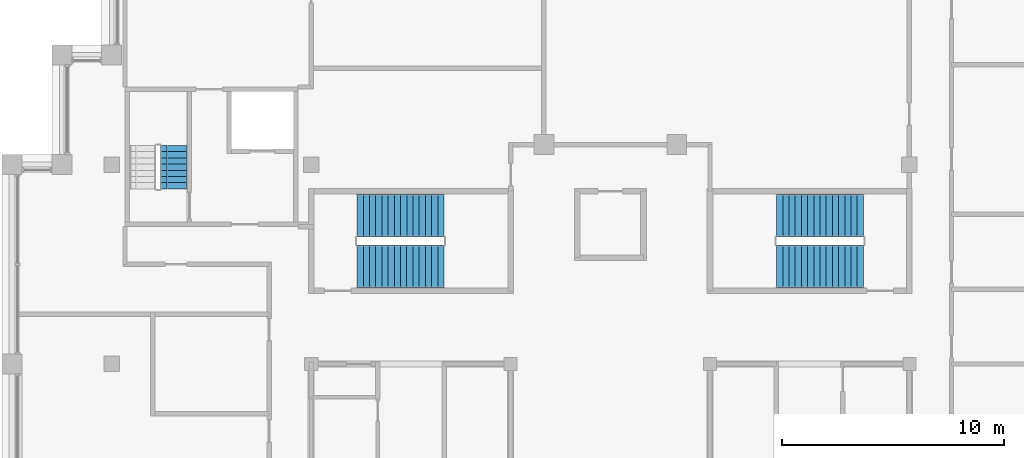
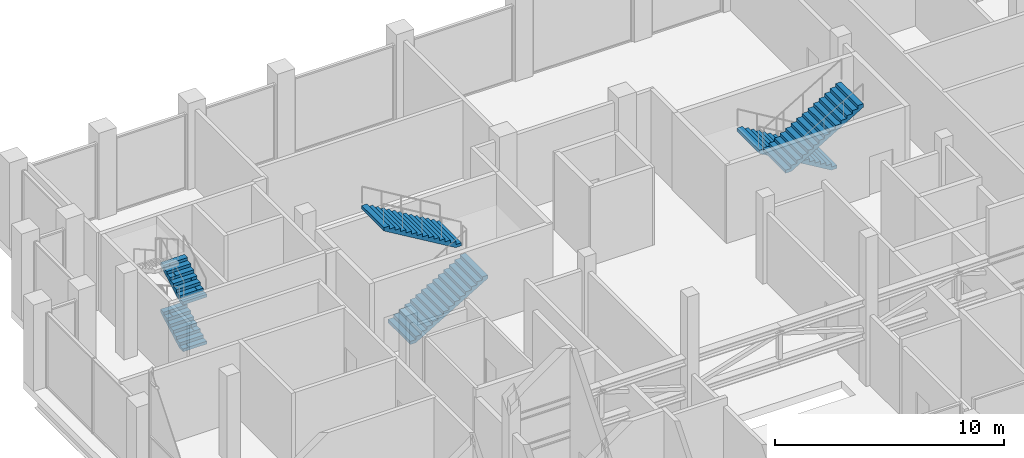
# One storey, part 13 of 14: 6 stair flights, 3 elements without a shape of their own.
"""IFC4 building model written with IfcOpenShell, lengths in metres."""

from ifc_helpers import new_model, si_unit, direction, frame, origin, place, context, subcontext, project, spatial, polyline, outline, extrude, material, type_object, element, aggregate, save


model = new_model("IFC4")

# Units and contexts
model_context = context("Model", 3, precision=1e-05, world=origin(), true_north=direction((0.0, 1.0)))
body_context = subcontext(model_context, "Body", "Model", "MODEL_VIEW")
ifc_project = project(units=[si_unit("LENGTHUNIT", "METRE"), si_unit("AREAUNIT", "SQUARE_METRE"), si_unit("VOLUMEUNIT", "CUBIC_METRE"), si_unit("PLANEANGLEUNIT", "RADIAN"), si_unit("MASSUNIT", "GRAM", prefix="KILO")], contexts=[model_context])

# Site, building, storey
site_placement = place(None, origin())
site = spatial("IfcSite", under=ifc_project, at=site_placement, CompositionType="ELEMENT")
building_placement = place(site_placement, origin())
building = spatial("IfcBuilding", under=site, at=building_placement, Name="Corbelhall Arena Tower", CompositionType="ELEMENT")
storey_placement = place(building_placement, frame((0.0, 0.0, 376.0)))
storey = spatial("IfcBuildingStorey", under=building, at=storey_placement, Name="L81", CompositionType="ELEMENT", Elevation=376.0)

# Stair, stair flights
ifc_material = material(Name="Concrete C40/50", Category="concrete")
stair_type = type_object("IfcStairType", Name="IN-ST-TOWER", PredefinedType="HALF_TURN_STAIR", material=ifc_material)
stair_1_placement = place(storey_placement, origin())
stair_1 = element("IfcStair", 1, at=stair_1_placement, inside=storey, type_object=stair_type, Name="L81 Exit stair ST1", PredefinedType="HALF_TURN_STAIR")
stair_flight_type = type_object("IfcStairFlightType", Name="IN-SFL-RC", PredefinedType="STRAIGHT", material=ifc_material)
stair_flight_1_placement = place(storey_placement, frame((-11.425048828125, 13.39990234375, 0.0), z_axis=(0.0, 0.0, 1.0), x_axis=(1.0, 0.0, 0.0)))
stair_flight_1 = element("IfcStairFlight", 2, at=stair_flight_1_placement, type_object=stair_flight_type, Name="ST1 flight 1", NumberOfRisers=15, NumberOfTreads=14, PredefinedType="STRAIGHT", RiserHeight=0.166666667, TreadLength=0.28, context=body_context, shape_type="SweptSolid", body=[
    extrude(outline(polyline([(0.0, 0.0), (0.0, 0.166748046875), (0.280029296875, 0.166748046875), (0.280029296875, 0.333251953125), (0.56005859375, 0.333251953125), (0.56005859375, 0.5), (0.840087890625, 0.5), (0.840087890625, 0.666748046875), (1.1201171875, 0.666748046875), (1.1201171875, 0.833251953125), (1.39990234375, 0.833251953125), (1.39990234375, 1.0), (1.679931640625, 1.0), (1.679931640625, 1.166748046875), (1.9599609375, 1.166748046875), (1.9599609375, 1.333251953125), (2.239990234375, 1.333251953125), (2.239990234375, 1.5), (2.52001953125, 1.5), (2.52001953125, 1.666748046875), (2.800048828125, 1.666748046875), (2.800048828125, 1.833251953125), (3.080078125, 1.833251953125), (3.080078125, 2.0), (3.360107421875, 2.0), (3.360107421875, 2.166748046875), (3.639892578125, 2.166748046875), (3.639892578125, 2.333251953125), (3.919921875, 2.333251953125), (3.919921875, 2.5), (3.919921875, 2.158935546875), (0.29296875, 0.0), (0.0, 0.0)])), frame((0.0, 0.97509765625, 0.0), z_axis=(0.0, -1.0, 0.0), x_axis=(1.0, 0.0, 0.0)), (0.0, 0.0, 1.0), 1.949951171875),
])
stair_flight_2_placement = place(storey_placement, frame((-7.5048828125, 15.699951171875, 2.5), z_axis=(0.0, 0.0, 1.0), x_axis=(-1.0, 0.0, 0.0)))
stair_flight_2 = element("IfcStairFlight", 3, at=stair_flight_2_placement, type_object=stair_flight_type, Name="ST1 flight 2", NumberOfRisers=15, NumberOfTreads=14, PredefinedType="STRAIGHT", RiserHeight=0.166666667, TreadLength=0.28, context=body_context, shape_type="SweptSolid", body=[
    extrude(outline(polyline([(0.0, 0.0), (0.0, 0.166748046875), (0.280029296875, 0.166748046875), (0.280029296875, 0.333251953125), (0.56005859375, 0.333251953125), (0.56005859375, 0.5), (0.840087890625, 0.5), (0.840087890625, 0.666748046875), (1.1201171875, 0.666748046875), (1.1201171875, 0.833251953125), (1.39990234375, 0.833251953125), (1.39990234375, 1.0), (1.679931640625, 1.0), (1.679931640625, 1.166748046875), (1.9599609375, 1.166748046875), (1.9599609375, 1.333251953125), (2.239990234375, 1.333251953125), (2.239990234375, 1.5), (2.52001953125, 1.5), (2.52001953125, 1.666748046875), (2.800048828125, 1.666748046875), (2.800048828125, 1.833251953125), (3.080078125, 1.833251953125), (3.080078125, 2.0), (3.360107421875, 2.0), (3.360107421875, 2.166748046875), (3.639892578125, 2.166748046875), (3.639892578125, 2.333251953125), (3.919921875, 2.333251953125), (3.919921875, 2.5), (3.919921875, 2.158935546875), (0.29296875, 0.0), (0.0, 0.0)])), frame((0.0, 0.97509765625, 0.0), z_axis=(0.0, -1.0, 0.0), x_axis=(1.0, 0.0, 0.0)), (0.0, 0.0, 1.0), 1.949951171875),
])
aggregate(stair_1, [stair_flight_1, stair_flight_2])

stair_2_placement = place(storey_placement, origin())
stair_2 = element("IfcStair", 4, at=stair_2_placement, inside=storey, type_object=stair_type, Name="L81 Exit stair ST3", PredefinedType="HALF_TURN_STAIR")
stair_flight_3_placement = place(storey_placement, frame((11.425048828125, 15.699951171875, 0.0), z_axis=(0.0, 0.0, 1.0), x_axis=(-1.0, 0.0, 0.0)))
stair_flight_3 = element("IfcStairFlight", 5, at=stair_flight_3_placement, type_object=stair_flight_type, Name="ST3 flight 1", NumberOfRisers=15, NumberOfTreads=14, PredefinedType="STRAIGHT", RiserHeight=0.166666667, TreadLength=0.28, context=body_context, shape_type="SweptSolid", body=[
    extrude(outline(polyline([(0.0, 0.0), (0.0, 0.166748046875), (0.280029296875, 0.166748046875), (0.280029296875, 0.333251953125), (0.56005859375, 0.333251953125), (0.56005859375, 0.5), (0.840087890625, 0.5), (0.840087890625, 0.666748046875), (1.1201171875, 0.666748046875), (1.1201171875, 0.833251953125), (1.39990234375, 0.833251953125), (1.39990234375, 1.0), (1.679931640625, 1.0), (1.679931640625, 1.166748046875), (1.9599609375, 1.166748046875), (1.9599609375, 1.333251953125), (2.239990234375, 1.333251953125), (2.239990234375, 1.5), (2.52001953125, 1.5), (2.52001953125, 1.666748046875), (2.800048828125, 1.666748046875), (2.800048828125, 1.833251953125), (3.080078125, 1.833251953125), (3.080078125, 2.0), (3.360107421875, 2.0), (3.360107421875, 2.166748046875), (3.639892578125, 2.166748046875), (3.639892578125, 2.333251953125), (3.919921875, 2.333251953125), (3.919921875, 2.5), (3.919921875, 2.158935546875), (0.29296875, 0.0), (0.0, 0.0)])), frame((0.0, 0.97509765625, 0.0), z_axis=(0.0, -1.0, 0.0), x_axis=(1.0, 0.0, 0.0)), (0.0, 0.0, 1.0), 1.949951171875),
])
stair_flight_4_placement = place(storey_placement, frame((7.5048828125, 13.39990234375, 2.5), z_axis=(0.0, 0.0, 1.0), x_axis=(1.0, 0.0, 0.0)))
stair_flight_4 = element("IfcStairFlight", 6, at=stair_flight_4_placement, type_object=stair_flight_type, Name="ST3 flight 2", NumberOfRisers=15, NumberOfTreads=14, PredefinedType="STRAIGHT", RiserHeight=0.166666667, TreadLength=0.28, context=body_context, shape_type="SweptSolid", body=[
    extrude(outline(polyline([(0.0, 0.0), (0.0, 0.166748046875), (0.280029296875, 0.166748046875), (0.280029296875, 0.333251953125), (0.56005859375, 0.333251953125), (0.56005859375, 0.5), (0.840087890625, 0.5), (0.840087890625, 0.666748046875), (1.1201171875, 0.666748046875), (1.1201171875, 0.833251953125), (1.39990234375, 0.833251953125), (1.39990234375, 1.0), (1.679931640625, 1.0), (1.679931640625, 1.166748046875), (1.9599609375, 1.166748046875), (1.9599609375, 1.333251953125), (2.239990234375, 1.333251953125), (2.239990234375, 1.5), (2.52001953125, 1.5), (2.52001953125, 1.666748046875), (2.800048828125, 1.666748046875), (2.800048828125, 1.833251953125), (3.080078125, 1.833251953125), (3.080078125, 2.0), (3.360107421875, 2.0), (3.360107421875, 2.166748046875), (3.639892578125, 2.166748046875), (3.639892578125, 2.333251953125), (3.919921875, 2.333251953125), (3.919921875, 2.5), (3.919921875, 2.158935546875), (0.29296875, 0.0), (0.0, 0.0)])), frame((0.0, 0.97509765625, 0.0), z_axis=(0.0, -1.0, 0.0), x_axis=(1.0, 0.0, 0.0)), (0.0, 0.0, 1.0), 1.949951171875),
])
aggregate(stair_2, [stair_flight_3, stair_flight_4])

stair_3_placement = place(storey_placement, origin())
stair_3 = element("IfcStair", 7, at=stair_3_placement, inside=storey, type_object=stair_type, Name="L81 Exit stair ST5", PredefinedType="HALF_TURN_STAIR")
stair_flight_5_placement = place(storey_placement, frame((-19.695068359375, 16.89990234375, 0.0), z_axis=(0.0, 0.0, 1.0), x_axis=(0.0, 1.0, 0.0)))
stair_flight_5 = element("IfcStairFlight", 8, at=stair_flight_5_placement, type_object=stair_flight_type, Name="ST5 flight 1", NumberOfRisers=8, NumberOfTreads=7, PredefinedType="STRAIGHT", RiserHeight=0.15625, TreadLength=0.28, context=body_context, shape_type="SweptSolid", body=[
    extrude(outline(polyline([(0.0, 0.0), (0.0, 0.15625), (0.280029296875, 0.15625), (0.280029296875, 0.3125), (0.56005859375, 0.3125), (0.56005859375, 0.46875), (0.840087890625, 0.46875), (0.840087890625, 0.625), (1.1201171875, 0.625), (1.1201171875, 0.78125), (1.39990234375, 0.78125), (1.39990234375, 0.9375), (1.679931640625, 0.9375), (1.679931640625, 1.09375), (1.9599609375, 1.09375), (1.9599609375, 1.25), (1.9599609375, 0.922119140625), (0.3076171875, 0.0), (0.0, 0.0)])), frame((0.0, 0.60009765625, 0.0), z_axis=(0.0, -1.0, 0.0), x_axis=(1.0, 0.0, 0.0)), (0.0, 0.0, 1.0), 0.300048828125),
    extrude(outline(polyline([(0.0, 0.0), (0.0, 0.15625), (0.280029296875, 0.15625), (0.280029296875, 0.3125), (0.56005859375, 0.3125), (0.56005859375, 0.46875), (0.840087890625, 0.46875), (0.840087890625, 0.625), (1.1201171875, 0.625), (1.1201171875, 0.78125), (1.39990234375, 0.78125), (1.39990234375, 0.9375), (1.679931640625, 0.9375), (1.679931640625, 1.09375), (1.9599609375, 1.09375), (1.9599609375, 1.25), (1.9599609375, 0.922119140625), (0.3076171875, 0.0), (0.0, 0.0)])), frame((0.0, 0.2958984375, 0.0), z_axis=(0.0, -1.0, 0.0), x_axis=(1.0, 0.0, 0.0)), (0.0, 0.0, 1.0), 0.592041015625),
    extrude(outline(polyline([(0.0, 0.0), (0.0, 0.15625), (0.280029296875, 0.15625), (0.280029296875, 0.3125), (0.56005859375, 0.3125), (0.56005859375, 0.46875), (0.840087890625, 0.46875), (0.840087890625, 0.625), (1.1201171875, 0.625), (1.1201171875, 0.78125), (1.39990234375, 0.78125), (1.39990234375, 0.9375), (1.679931640625, 0.9375), (1.679931640625, 1.09375), (1.9599609375, 1.09375), (1.9599609375, 1.25), (1.9599609375, 0.922119140625), (0.3076171875, 0.0), (0.0, 0.0)])), frame((0.0, -0.300048828125, 0.0), z_axis=(0.0, -1.0, 0.0), x_axis=(1.0, 0.0, 0.0)), (0.0, 0.0, 1.0), 0.300048828125),
])
stair_flight_6_placement = place(storey_placement, frame((-19.695068359375, 16.89990234375, 2.5), z_axis=(0.0, 0.0, 1.0), x_axis=(0.0, 1.0, 0.0)))
stair_flight_6 = element("IfcStairFlight", 9, at=stair_flight_6_placement, type_object=stair_flight_type, Name="ST5 flight 3", NumberOfRisers=8, NumberOfTreads=7, PredefinedType="STRAIGHT", RiserHeight=0.15625, TreadLength=0.28, context=body_context, shape_type="SweptSolid", body=[
    extrude(outline(polyline([(0.0, 0.0), (0.0, 0.15625), (0.280029296875, 0.15625), (0.280029296875, 0.3125), (0.56005859375, 0.3125), (0.56005859375, 0.46875), (0.840087890625, 0.46875), (0.840087890625, 0.625), (1.1201171875, 0.625), (1.1201171875, 0.78125), (1.39990234375, 0.78125), (1.39990234375, 0.9375), (1.679931640625, 0.9375), (1.679931640625, 1.09375), (1.9599609375, 1.09375), (1.9599609375, 1.25), (1.9599609375, 0.922119140625), (0.3076171875, 0.0), (0.0, 0.0)])), frame((0.0, 0.60009765625, 0.0), z_axis=(0.0, -1.0, 0.0), x_axis=(1.0, 0.0, 0.0)), (0.0, 0.0, 1.0), 0.300048828125),
    extrude(outline(polyline([(0.0, 0.0), (0.0, 0.15625), (0.280029296875, 0.15625), (0.280029296875, 0.3125), (0.56005859375, 0.3125), (0.56005859375, 0.46875), (0.840087890625, 0.46875), (0.840087890625, 0.625), (1.1201171875, 0.625), (1.1201171875, 0.78125), (1.39990234375, 0.78125), (1.39990234375, 0.9375), (1.679931640625, 0.9375), (1.679931640625, 1.09375), (1.9599609375, 1.09375), (1.9599609375, 1.25), (1.9599609375, 0.922119140625), (0.3076171875, 0.0), (0.0, 0.0)])), frame((0.0, 0.2958984375, 0.0), z_axis=(0.0, -1.0, 0.0), x_axis=(1.0, 0.0, 0.0)), (0.0, 0.0, 1.0), 0.592041015625),
    extrude(outline(polyline([(0.0, 0.0), (0.0, 0.15625), (0.280029296875, 0.15625), (0.280029296875, 0.3125), (0.56005859375, 0.3125), (0.56005859375, 0.46875), (0.840087890625, 0.46875), (0.840087890625, 0.625), (1.1201171875, 0.625), (1.1201171875, 0.78125), (1.39990234375, 0.78125), (1.39990234375, 0.9375), (1.679931640625, 0.9375), (1.679931640625, 1.09375), (1.9599609375, 1.09375), (1.9599609375, 1.25), (1.9599609375, 0.922119140625), (0.3076171875, 0.0), (0.0, 0.0)])), frame((0.0, -0.300048828125, 0.0), z_axis=(0.0, -1.0, 0.0), x_axis=(1.0, 0.0, 0.0)), (0.0, 0.0, 1.0), 0.300048828125),
])
aggregate(stair_3, [stair_flight_5, stair_flight_6])

save(model, "model.ifc")
